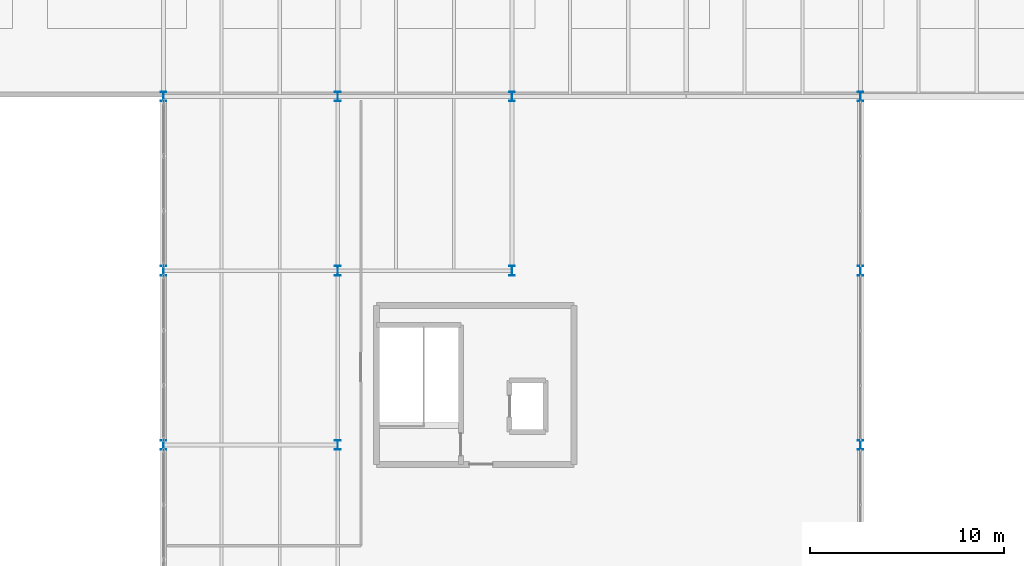
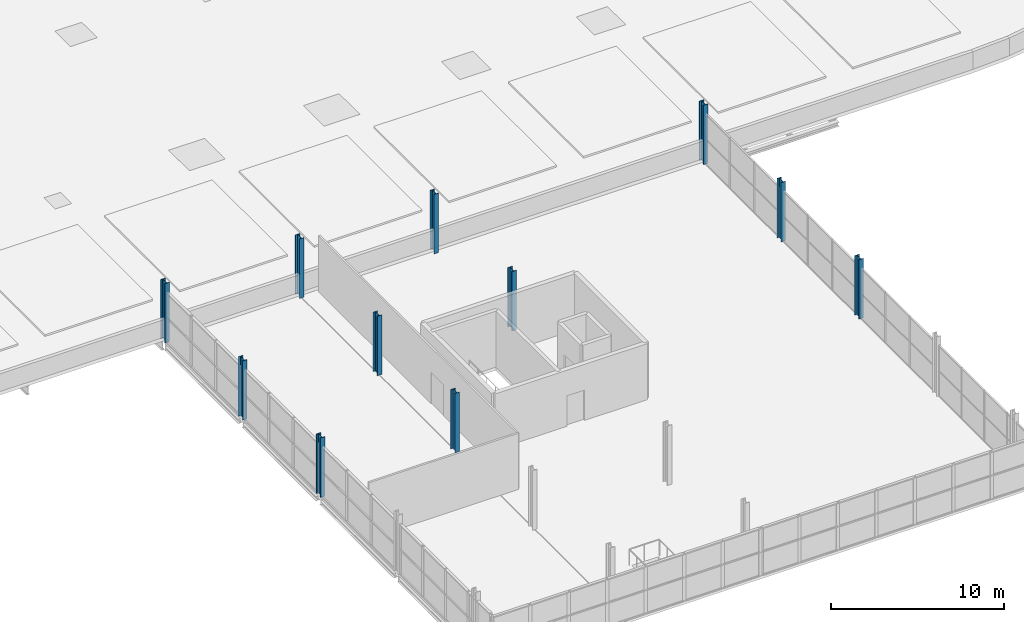
# One storey, part 4 of 59: 11 columns.
"""IFC4 building model written with IfcOpenShell, lengths in metres."""

from ifc_helpers import new_model, si_unit, direction, frame, origin, origin_2d, place, context, subcontext, project, spatial, i_section, extrude, material, material_profile, profile_set, type_object, element, save


model = new_model("IFC4")

# Units and contexts
model_context = context("Model", 3, precision=1e-05, world=origin(), true_north=direction((0.0, 1.0)))
body_context = subcontext(model_context, "Body", "Model", "MODEL_VIEW")
ifc_project = project(units=[si_unit("LENGTHUNIT", "METRE"), si_unit("AREAUNIT", "SQUARE_METRE"), si_unit("VOLUMEUNIT", "CUBIC_METRE"), si_unit("PLANEANGLEUNIT", "RADIAN"), si_unit("MASSUNIT", "GRAM", prefix="KILO")], contexts=[model_context])

# Site, building, storey
site_placement = place(None, origin())
site = spatial("IfcSite", under=ifc_project, at=site_placement, CompositionType="ELEMENT")
building_placement = place(site_placement, origin())
building = spatial("IfcBuilding", under=site, at=building_placement, Name="Deido Ridge Mobility Hub", CompositionType="ELEMENT")
storey_placement = place(building_placement, frame((0.0, 0.0, 21.0)))
storey = spatial("IfcBuildingStorey", under=building, at=storey_placement, Name="L05", CompositionType="ELEMENT", Elevation=21.0)

# Columns
ifc_material = material(Name="Steel S355J2 EN 10025-2", Category="steel")
ifc_material_profile = material_profile(ifc_material, i_section(OverallWidth=0.300048828125, OverallDepth=0.5, WebThickness=0.014404296875, FlangeThickness=0.028076171875, FilletRadius=0.027099609375, at=origin_2d()), Name="HEB 500")
ifc_profile_set = profile_set([ifc_material_profile], Name="Steel S355J2 EN 10025-2")
column_type = type_object("IfcColumnType", Name="COL-HEB500", PredefinedType="COLUMN", material=ifc_profile_set)
for number, where, z_axis, x_axis, name in (
    (1, (72.0, 63.0, 0.0), (0.0, 0.0, 1.0), (1.0, 0.0, 0.0), "Structural column C5"),
    (2, (72.0, 72.0, 0.0), (0.0, 0.0, 1.0), (1.0, 0.0, 0.0), "Structural column C5"),
    (3, (72.0, 81.0, 0.0), (0.0, 0.0, 1.0), (1.0, 0.0, 0.0), "Structural column C5"),
    (4, (81.0, 72.0, 0.0), (0.0, 0.0, 1.0), (1.0, 0.0, 0.0), "Structural column C5"),
    (5, (81.0, 81.0, 0.0), (0.0, 0.0, 1.0), (1.0, 0.0, 0.0), "Structural column C5"),
    (6, (99.0, 63.0, 0.0), (0.0, 0.0, 1.0), (1.0, 0.0, 0.0), "Structural column C5"),
    (7, (99.0, 72.0, 0.0), (0.0, 0.0, 1.0), (1.0, 0.0, 0.0), "Structural column C5"),
    (8, (99.0, 81.0, 0.0), (0.0, 0.0, 1.0), (1.0, 0.0, 0.0), "Structural column C5"),
    (9, (63.0, 63.0, 0.0), (0.0, 0.0, 1.0), (1.0, 0.0, 0.0), "Structural column C5"),
    (10, (63.0, 72.0, 0.0), (0.0, 0.0, 1.0), (1.0, 0.0, 0.0), "Structural column C5"),
    (11, (63.0, 81.0, 0.0), (0.0, 0.0, 1.0), (1.0, 0.0, 0.0), "Structural column C5"),
):
    element("IfcColumn", number, at=place(storey_placement, frame(where, z_axis=z_axis, x_axis=x_axis)), inside=storey, type_object=column_type, Name=name, PredefinedType="COLUMN", context=body_context, shape_type="SweptSolid", body=[
        extrude(i_section(OverallWidth=0.300048828125, OverallDepth=0.5, WebThickness=0.014404296875, FlangeThickness=0.028076171875, FilletRadius=0.027099609375, at=origin_2d()), origin(), (0.0, 0.0, 1.0), 4.199951171875),
    ])

save(model, "model.ifc")
